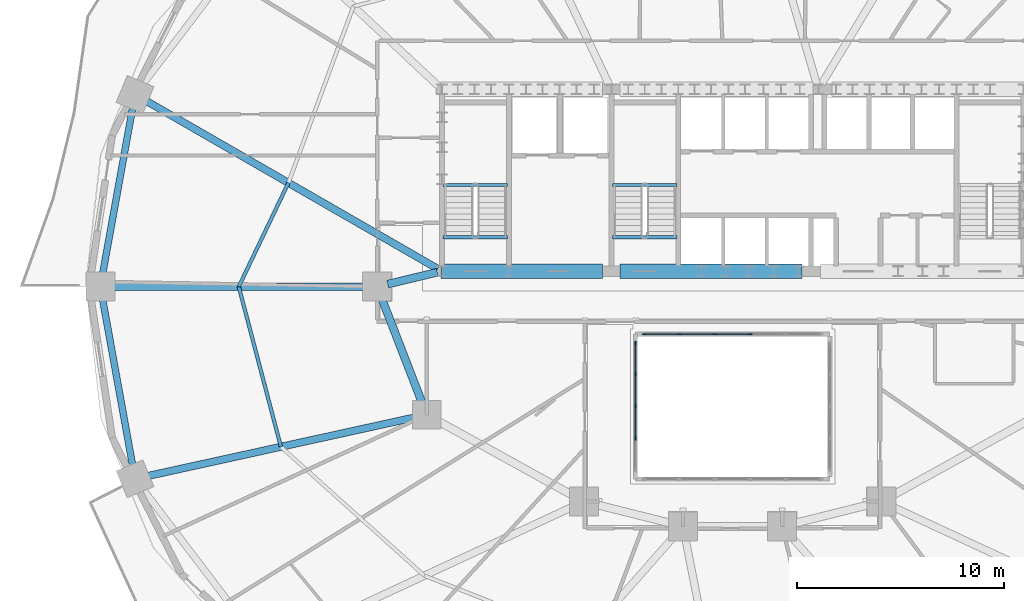
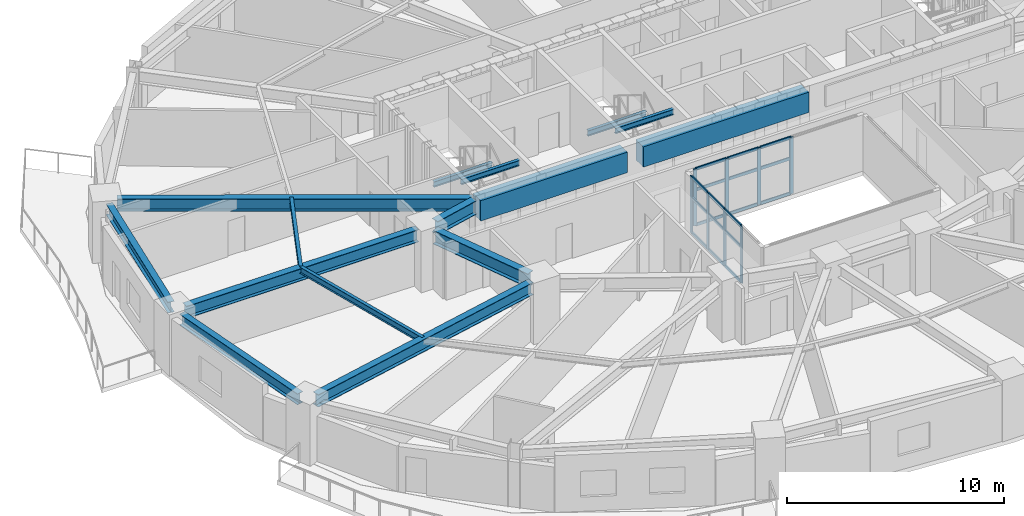
# One storey, part 4 of 16: 26 members, 15 beams, 2 elements without a shape of their own.
"""IFC4 building model written with IfcOpenShell, lengths in metres."""

from ifc_helpers import new_model, si_unit, direction, frame, origin, origin_2d, place, context, subcontext, project, spatial, rectangle, i_section, extrude, material, material_profile, profile_set, type_object, element, aggregate, save


model = new_model("IFC4")

# Units and contexts
model_context = context("Model", 3, precision=1e-05, world=origin(), true_north=direction((0.0, 1.0)))
body_context = subcontext(model_context, "Body", "Model", "MODEL_VIEW")
ifc_project = project(units=[si_unit("LENGTHUNIT", "METRE"), si_unit("AREAUNIT", "SQUARE_METRE"), si_unit("VOLUMEUNIT", "CUBIC_METRE"), si_unit("PLANEANGLEUNIT", "RADIAN"), si_unit("MASSUNIT", "GRAM", prefix="KILO")], contexts=[model_context])

# Site, building, storey
site_placement = place(None, origin())
site = spatial("IfcSite", under=ifc_project, at=site_placement, CompositionType="ELEMENT")
building_placement = place(site_placement, origin())
building = spatial("IfcBuilding", under=site, at=building_placement, Name="Haldorwick Loom Tower", CompositionType="ELEMENT")
storey_placement = place(building_placement, frame((0.0, 0.0, 68.85009765625)))
storey = spatial("IfcBuildingStorey", under=building, at=storey_placement, Name="L18", CompositionType="ELEMENT", Elevation=68.85009765625)

# Curtain wall, members
ifc_material_1 = material(Name="Thermally Broken Anodized Aluminium Curtain Wall Framing", Category="aluminium")
curtain_wall_type = type_object("IfcCurtainWallType", Name="ARC-CW-03", PredefinedType="NOTDEFINED", material=ifc_material_1)
curtain_wall_1_placement = place(storey_placement, origin())
curtain_wall_1 = element("IfcCurtainWall", 1, at=curtain_wall_1_placement, inside=storey, type_object=curtain_wall_type, Name="L18 Atrium Glazed Screen N", PredefinedType="NOTDEFINED")
ifc_material_profile_1 = material_profile(ifc_material_1, rectangle(XDim=0.06591796875, YDim=0.18505859375, at=origin_2d()), Name="ALU_MUL_66X185", Category="aluminium")
ifc_profile_set_1 = profile_set([ifc_material_profile_1], Name="Thermally Broken Anodized Aluminium Curtain Wall Framing")
member_type_1 = type_object("IfcMemberType", Name="ARC-CWM-03", PredefinedType="MULLION", material=ifc_profile_set_1)
member_1_placement = place(storey_placement, frame((31.73291015625, 23.699951171875, 0.0), z_axis=(0.0, 0.0, 1.0), x_axis=(0.0, 1.0, 0.0)))
member_1 = element("IfcMember", 2, at=member_1_placement, type_object=member_type_1, Name="CW-03 mullion 1", PredefinedType="MULLION", context=body_context, shape_type="SweptSolid", body=[
    extrude(rectangle(XDim=0.06591796875, YDim=0.18505859375, at=origin_2d()), origin(), (0.0, 0.0, 1.0), 3.18994140625),
])
member_2_placement = place(storey_placement, frame((33.419921875, 23.699951171875, 0.0), z_axis=(0.0, 0.0, 1.0), x_axis=(0.0, 1.0, 0.0)))
member_2 = element("IfcMember", 3, at=member_2_placement, type_object=member_type_1, Name="CW-03 mullion 2", PredefinedType="MULLION", context=body_context, shape_type="SweptSolid", body=[
    extrude(rectangle(XDim=0.06591796875, YDim=0.18505859375, at=origin_2d()), origin(), (0.0, 0.0, 1.0), 3.18994140625),
])
member_3_placement = place(storey_placement, frame((35.139892578125, 23.699951171875, 0.0), z_axis=(0.0, 0.0, 1.0), x_axis=(0.0, 1.0, 0.0)))
member_3 = element("IfcMember", 4, at=member_3_placement, type_object=member_type_1, Name="CW-03 mullion 3", PredefinedType="MULLION", context=body_context, shape_type="SweptSolid", body=[
    extrude(rectangle(XDim=0.06591796875, YDim=0.18505859375, at=origin_2d()), origin(), (0.0, 0.0, 1.0), 3.18994140625),
])
member_4_placement = place(storey_placement, frame((36.860107421875, 23.699951171875, 0.0), z_axis=(0.0, 0.0, 1.0), x_axis=(0.0, 1.0, 0.0)))
member_4 = element("IfcMember", 5, at=member_4_placement, type_object=member_type_1, Name="CW-03 mullion 4", PredefinedType="MULLION", context=body_context, shape_type="SweptSolid", body=[
    extrude(rectangle(XDim=0.06591796875, YDim=0.18505859375, at=origin_2d()), origin(), (0.0, 0.0, 1.0), 3.18994140625),
])

curtain_wall_2_placement = place(storey_placement, origin())
curtain_wall_2 = element("IfcCurtainWall", 6, at=curtain_wall_2_placement, inside=storey, type_object=curtain_wall_type, Name="L18 Atrium Glazed Screen W", PredefinedType="NOTDEFINED")
member_5_placement = place(storey_placement, frame((31.300048828125, 18.64990234375, 0.0), z_axis=(0.0, 0.0, 1.0), x_axis=(-1.0, 0.0, 0.0)))
member_5 = element("IfcMember", 7, at=member_5_placement, type_object=member_type_1, Name="CW-03 mullion 2", PredefinedType="MULLION", context=body_context, shape_type="SweptSolid", body=[
    extrude(rectangle(XDim=0.06591796875, YDim=0.18505859375, at=origin_2d()), origin(), (0.0, 0.0, 1.0), 3.18994140625),
])
member_6_placement = place(storey_placement, frame((31.300048828125, 20.199951171875, 0.0), z_axis=(0.0, 0.0, 1.0), x_axis=(-1.0, 0.0, 0.0)))
member_6 = element("IfcMember", 8, at=member_6_placement, type_object=member_type_1, Name="CW-03 mullion 3", PredefinedType="MULLION", context=body_context, shape_type="SweptSolid", body=[
    extrude(rectangle(XDim=0.06591796875, YDim=0.18505859375, at=origin_2d()), origin(), (0.0, 0.0, 1.0), 3.18994140625),
])
member_7_placement = place(storey_placement, frame((31.300048828125, 21.75, 0.0), z_axis=(0.0, 0.0, 1.0), x_axis=(-1.0, 0.0, 0.0)))
member_7 = element("IfcMember", 9, at=member_7_placement, type_object=member_type_1, Name="CW-03 mullion 4", PredefinedType="MULLION", context=body_context, shape_type="SweptSolid", body=[
    extrude(rectangle(XDim=0.06591796875, YDim=0.18505859375, at=origin_2d()), origin(), (0.0, 0.0, 1.0), 3.18994140625),
])
member_8_placement = place(storey_placement, frame((31.300048828125, 23.26708984375, 0.0), z_axis=(0.0, 0.0, 1.0), x_axis=(-1.0, 0.0, 0.0)))
member_8 = element("IfcMember", 10, at=member_8_placement, type_object=member_type_1, Name="CW-03 mullion 5", PredefinedType="MULLION", context=body_context, shape_type="SweptSolid", body=[
    extrude(rectangle(XDim=0.06591796875, YDim=0.18505859375, at=origin_2d()), origin(), (0.0, 0.0, 1.0), 3.18994140625),
])

# Member
ifc_material_profile_2 = material_profile(ifc_material_1, rectangle(XDim=0.06591796875, YDim=0.1650390625, at=origin_2d()), Name="ALU_TRN_66X165", Category="aluminium")
ifc_profile_set_2 = profile_set([ifc_material_profile_2], Name="Thermally Broken Anodized Aluminium Curtain Wall Framing")
member_type_2 = type_object("IfcMemberType", Name="ARC-CWT-03", PredefinedType="USERDEFINED", material=ifc_profile_set_2)
member_9_placement = place(storey_placement, frame((31.76611328125, 23.699951171875, 0.032958984375), z_axis=(1.0, 0.0, 0.0), x_axis=(0.0, 1.0, 0.0)))
member_9 = element("IfcMember", 11, at=member_9_placement, type_object=member_type_2, Name="CW-03 transom 1.1", ObjectType="TRANSOM", PredefinedType="USERDEFINED", context=body_context, shape_type="SweptSolid", body=[
    extrude(rectangle(XDim=0.06591796875, YDim=0.1650390625, at=origin_2d()), origin(), (0.0, 0.0, 1.0), 1.620849609375),
])

member_10_placement = place(storey_placement, frame((31.76611328125, 23.699951171875, 2.0), z_axis=(1.0, 0.0, 0.0), x_axis=(0.0, 1.0, 0.0)))
member_10 = element("IfcMember", 12, at=member_10_placement, type_object=member_type_2, Name="CW-03 transom 1.2", ObjectType="TRANSOM", PredefinedType="USERDEFINED", context=body_context, shape_type="SweptSolid", body=[
    extrude(rectangle(XDim=0.06591796875, YDim=0.1650390625, at=origin_2d()), origin(), (0.0, 0.0, 1.0), 1.620849609375),
])

member_11_placement = place(storey_placement, frame((31.76611328125, 23.699951171875, 3.156982421875), z_axis=(1.0, 0.0, 0.0), x_axis=(0.0, 1.0, 0.0)))
member_11 = element("IfcMember", 13, at=member_11_placement, type_object=member_type_2, Name="CW-03 transom 1.3", ObjectType="TRANSOM", PredefinedType="USERDEFINED", context=body_context, shape_type="SweptSolid", body=[
    extrude(rectangle(XDim=0.06591796875, YDim=0.1650390625, at=origin_2d()), origin(), (0.0, 0.0, 1.0), 1.620849609375),
])

member_12_placement = place(storey_placement, frame((33.452880859375, 23.699951171875, 0.032958984375), z_axis=(1.0, 0.0, 0.0), x_axis=(0.0, 1.0, 0.0)))
member_12 = element("IfcMember", 14, at=member_12_placement, type_object=member_type_2, Name="CW-03 transom 2.1", ObjectType="TRANSOM", PredefinedType="USERDEFINED", context=body_context, shape_type="SweptSolid", body=[
    extrude(rectangle(XDim=0.06591796875, YDim=0.1650390625, at=origin_2d()), origin(), (0.0, 0.0, 1.0), 1.654052734375),
])

member_13_placement = place(storey_placement, frame((33.452880859375, 23.699951171875, 2.0), z_axis=(1.0, 0.0, 0.0), x_axis=(0.0, 1.0, 0.0)))
member_13 = element("IfcMember", 15, at=member_13_placement, type_object=member_type_2, Name="CW-03 transom 2.2", ObjectType="TRANSOM", PredefinedType="USERDEFINED", context=body_context, shape_type="SweptSolid", body=[
    extrude(rectangle(XDim=0.06591796875, YDim=0.1650390625, at=origin_2d()), origin(), (0.0, 0.0, 1.0), 1.654052734375),
])

member_14_placement = place(storey_placement, frame((33.452880859375, 23.699951171875, 3.156982421875), z_axis=(1.0, 0.0, 0.0), x_axis=(0.0, 1.0, 0.0)))
member_14 = element("IfcMember", 16, at=member_14_placement, type_object=member_type_2, Name="CW-03 transom 2.3", ObjectType="TRANSOM", PredefinedType="USERDEFINED", context=body_context, shape_type="SweptSolid", body=[
    extrude(rectangle(XDim=0.06591796875, YDim=0.1650390625, at=origin_2d()), origin(), (0.0, 0.0, 1.0), 1.654052734375),
])

member_15_placement = place(storey_placement, frame((35.173095703125, 23.699951171875, 0.032958984375), z_axis=(1.0, 0.0, 0.0), x_axis=(0.0, 1.0, 0.0)))
member_15 = element("IfcMember", 17, at=member_15_placement, type_object=member_type_2, Name="CW-03 transom 3.1", ObjectType="TRANSOM", PredefinedType="USERDEFINED", context=body_context, shape_type="SweptSolid", body=[
    extrude(rectangle(XDim=0.06591796875, YDim=0.1650390625, at=origin_2d()), origin(), (0.0, 0.0, 1.0), 1.65380859375),
])

member_16_placement = place(storey_placement, frame((35.173095703125, 23.699951171875, 2.0), z_axis=(1.0, 0.0, 0.0), x_axis=(0.0, 1.0, 0.0)))
member_16 = element("IfcMember", 18, at=member_16_placement, type_object=member_type_2, Name="CW-03 transom 3.2", ObjectType="TRANSOM", PredefinedType="USERDEFINED", context=body_context, shape_type="SweptSolid", body=[
    extrude(rectangle(XDim=0.06591796875, YDim=0.1650390625, at=origin_2d()), origin(), (0.0, 0.0, 1.0), 1.65380859375),
])

member_17_placement = place(storey_placement, frame((35.173095703125, 23.699951171875, 3.156982421875), z_axis=(1.0, 0.0, 0.0), x_axis=(0.0, 1.0, 0.0)))
member_17 = element("IfcMember", 19, at=member_17_placement, type_object=member_type_2, Name="CW-03 transom 3.3", ObjectType="TRANSOM", PredefinedType="USERDEFINED", context=body_context, shape_type="SweptSolid", body=[
    extrude(rectangle(XDim=0.06591796875, YDim=0.1650390625, at=origin_2d()), origin(), (0.0, 0.0, 1.0), 1.65380859375),
])

aggregate(curtain_wall_1, [member_1, member_2, member_3, member_4, member_9, member_10, member_11, member_12, member_13, member_14, member_15, member_16, member_17])

member_18_placement = place(storey_placement, frame((31.300048828125, 18.68310546875, 0.032958984375), z_axis=(0.0, 1.0, 0.0), x_axis=(-1.0, 0.0, 0.0)))
member_18 = element("IfcMember", 20, at=member_18_placement, type_object=member_type_2, Name="CW-03 transom 2.1", ObjectType="TRANSOM", PredefinedType="USERDEFINED", context=body_context, shape_type="SweptSolid", body=[
    extrude(rectangle(XDim=0.06591796875, YDim=0.1650390625, at=origin_2d()), origin(), (0.0, 0.0, 1.0), 1.48388671875),
])

member_19_placement = place(storey_placement, frame((31.300048828125, 18.68310546875, 2.0), z_axis=(0.0, 1.0, 0.0), x_axis=(-1.0, 0.0, 0.0)))
member_19 = element("IfcMember", 21, at=member_19_placement, type_object=member_type_2, Name="CW-03 transom 2.2", ObjectType="TRANSOM", PredefinedType="USERDEFINED", context=body_context, shape_type="SweptSolid", body=[
    extrude(rectangle(XDim=0.06591796875, YDim=0.1650390625, at=origin_2d()), origin(), (0.0, 0.0, 1.0), 1.48388671875),
])

member_20_placement = place(storey_placement, frame((31.300048828125, 18.68310546875, 3.156982421875), z_axis=(0.0, 1.0, 0.0), x_axis=(-1.0, 0.0, 0.0)))
member_20 = element("IfcMember", 22, at=member_20_placement, type_object=member_type_2, Name="CW-03 transom 2.3", ObjectType="TRANSOM", PredefinedType="USERDEFINED", context=body_context, shape_type="SweptSolid", body=[
    extrude(rectangle(XDim=0.06591796875, YDim=0.1650390625, at=origin_2d()), origin(), (0.0, 0.0, 1.0), 1.48388671875),
])

member_21_placement = place(storey_placement, frame((31.300048828125, 20.23291015625, 0.032958984375), z_axis=(0.0, 1.0, 0.0), x_axis=(-1.0, 0.0, 0.0)))
member_21 = element("IfcMember", 23, at=member_21_placement, type_object=member_type_2, Name="CW-03 transom 3.1", ObjectType="TRANSOM", PredefinedType="USERDEFINED", context=body_context, shape_type="SweptSolid", body=[
    extrude(rectangle(XDim=0.06591796875, YDim=0.1650390625, at=origin_2d()), origin(), (0.0, 0.0, 1.0), 1.484130859375),
])

member_22_placement = place(storey_placement, frame((31.300048828125, 20.23291015625, 2.0), z_axis=(0.0, 1.0, 0.0), x_axis=(-1.0, 0.0, 0.0)))
member_22 = element("IfcMember", 24, at=member_22_placement, type_object=member_type_2, Name="CW-03 transom 3.2", ObjectType="TRANSOM", PredefinedType="USERDEFINED", context=body_context, shape_type="SweptSolid", body=[
    extrude(rectangle(XDim=0.06591796875, YDim=0.1650390625, at=origin_2d()), origin(), (0.0, 0.0, 1.0), 1.484130859375),
])

member_23_placement = place(storey_placement, frame((31.300048828125, 20.23291015625, 3.156982421875), z_axis=(0.0, 1.0, 0.0), x_axis=(-1.0, 0.0, 0.0)))
member_23 = element("IfcMember", 25, at=member_23_placement, type_object=member_type_2, Name="CW-03 transom 3.3", ObjectType="TRANSOM", PredefinedType="USERDEFINED", context=body_context, shape_type="SweptSolid", body=[
    extrude(rectangle(XDim=0.06591796875, YDim=0.1650390625, at=origin_2d()), origin(), (0.0, 0.0, 1.0), 1.484130859375),
])

member_24_placement = place(storey_placement, frame((31.300048828125, 21.782958984375, 0.032958984375), z_axis=(0.0, 1.0, 0.0), x_axis=(-1.0, 0.0, 0.0)))
member_24 = element("IfcMember", 26, at=member_24_placement, type_object=member_type_2, Name="CW-03 transom 4.1", ObjectType="TRANSOM", PredefinedType="USERDEFINED", context=body_context, shape_type="SweptSolid", body=[
    extrude(rectangle(XDim=0.06591796875, YDim=0.1650390625, at=origin_2d()), origin(), (0.0, 0.0, 1.0), 1.450927734375),
])

member_25_placement = place(storey_placement, frame((31.300048828125, 21.782958984375, 2.0), z_axis=(0.0, 1.0, 0.0), x_axis=(-1.0, 0.0, 0.0)))
member_25 = element("IfcMember", 27, at=member_25_placement, type_object=member_type_2, Name="CW-03 transom 4.2", ObjectType="TRANSOM", PredefinedType="USERDEFINED", context=body_context, shape_type="SweptSolid", body=[
    extrude(rectangle(XDim=0.06591796875, YDim=0.1650390625, at=origin_2d()), origin(), (0.0, 0.0, 1.0), 1.450927734375),
])

member_26_placement = place(storey_placement, frame((31.300048828125, 21.782958984375, 3.156982421875), z_axis=(0.0, 1.0, 0.0), x_axis=(-1.0, 0.0, 0.0)))
member_26 = element("IfcMember", 28, at=member_26_placement, type_object=member_type_2, Name="CW-03 transom 4.3", ObjectType="TRANSOM", PredefinedType="USERDEFINED", context=body_context, shape_type="SweptSolid", body=[
    extrude(rectangle(XDim=0.06591796875, YDim=0.1650390625, at=origin_2d()), origin(), (0.0, 0.0, 1.0), 1.450927734375),
])

aggregate(curtain_wall_2, [member_5, member_6, member_7, member_8, member_18, member_19, member_20, member_21, member_22, member_23, member_24, member_25, member_26])

# Beams
ifc_material_2 = material(Name="Concrete C60 (60 MPa)", Category="concrete")
ifc_material_profile_3 = material_profile(ifc_material_2, rectangle(XDim=0.699951171875, YDim=1.14990234375, at=origin_2d()), Name="RC700X1150", Category="concrete")
ifc_profile_set_3 = profile_set([ifc_material_profile_3], Name="Concrete C60 (60 MPa)")
beam_type_1 = type_object("IfcBeamType", Name="STR-BM-CB1150", PredefinedType="LINTEL", material=ifc_profile_set_3)
beam_1_placement = place(storey_placement, frame((21.89990234375, 26.75, 2.614990234375), z_axis=(1.0, 0.0, 0.0), x_axis=(0.0, 1.0, 0.0)))
element("IfcBeam", 29, at=beam_1_placement, inside=storey, type_object=beam_type_1, Name="L18 Core Coupling Beam CB-S1", PredefinedType="LINTEL", context=body_context, shape_type="SweptSolid", body=[
    extrude(rectangle(XDim=0.699951171875, YDim=1.14990234375, at=origin_2d()), origin(), (0.0, 0.0, 1.0), 7.800048828125),
])
beam_2_placement = place(storey_placement, frame((30.550048828125, 26.75, 2.614990234375), z_axis=(1.0, 0.0, 0.0), x_axis=(0.0, 1.0, 0.0)))
element("IfcBeam", 30, at=beam_2_placement, inside=storey, type_object=beam_type_1, Name="L18 Core Coupling Beam CB-S2", PredefinedType="LINTEL", context=body_context, shape_type="SweptSolid", body=[
    extrude(rectangle(XDim=0.699951171875, YDim=1.14990234375, at=origin_2d()), origin(), (0.0, 0.0, 1.0), 8.800048828125),
])
ifc_material_3 = material(Name="Steel CSA G40.21 350W", Category="steel")
ifc_material_profile_4 = material_profile(ifc_material_3, i_section(OverallWidth=0.172119140625, OverallDepth=0.35791015625, WebThickness=0.0078125, FlangeThickness=0.01318359375, at=origin_2d()), Name="W360X57", Category="steel")
ifc_profile_set_4 = profile_set([ifc_material_profile_4], Name="Steel CSA G40.21 350W")
beam_type_2 = type_object("IfcBeamType", Name="STR-BM-J360", PredefinedType="JOIST", material=ifc_profile_set_4)
beam_3_placement = place(storey_placement, frame((14.50634765625, 31.024658203125, 3.010986328125), z_axis=(-0.431630738849, -0.902050389546, 0.0), x_axis=(0.902050389546, -0.431630738849, 0.0)))
element("IfcBeam", 31, at=beam_3_placement, inside=storey, type_object=beam_type_2, Name="L18 Mid-Bay Secondary Joist 8", PredefinedType="JOIST", context=body_context, shape_type="SweptSolid", body=[
    extrude(i_section(OverallWidth=0.172119140625, OverallDepth=0.35791015625, WebThickness=0.0078125, FlangeThickness=0.01318359375, at=origin_2d()), origin(), (0.0, 0.0, 1.0), 5.5703125),
])
beam_4_placement = place(storey_placement, frame((12.10205078125, 26.0, 3.010986328125), z_axis=(0.2544888003, -0.967075721193, 0.0), x_axis=(0.967075721193, 0.2544888003, 0.0)))
element("IfcBeam", 32, at=beam_4_placement, inside=storey, type_object=beam_type_2, Name="L18 Mid-Bay Secondary Joist 9", PredefinedType="JOIST", context=body_context, shape_type="SweptSolid", body=[
    extrude(i_section(OverallWidth=0.172119140625, OverallDepth=0.35791015625, WebThickness=0.0078125, FlangeThickness=0.01318359375, at=origin_2d()), origin(), (0.0, 0.0, 1.0), 8.013427734375),
])
ifc_material_profile_5 = material_profile(ifc_material_3, i_section(OverallWidth=0.324951171875, OverallDepth=0.615966796875, WebThickness=0.013916015625, FlangeThickness=0.021484375, at=origin_2d()), Name="W610X174", Category="steel")
ifc_profile_set_5 = profile_set([ifc_material_profile_5], Name="Steel CSA G40.21 350W")
beam_type_3 = type_object("IfcBeamType", Name="STR-BM-SP610", PredefinedType="SPANDREL", material=ifc_profile_set_5)
for number, where, z_axis, x_axis, name in (
    (33, (6.990234375, 34.78759765625, 2.8818359375), (-0.177641139482, -0.984095333575, 0.0), (0.984095333575, -0.177641139482, 0.0), "L18 Perimeter Spandrel 8"),
    (34, (5.496337890625, 25.48828125, 2.8818359375), (0.177641139482, -0.984095333575, 0.0), (0.984095333575, 0.177641139482, 0.0), "L18 Perimeter Spandrel 9"),
):
    element("IfcBeam", number, at=place(storey_placement, frame(where, z_axis=z_axis, x_axis=x_axis)), inside=storey, type_object=beam_type_3, Name=name, PredefinedType="SPANDREL", context=body_context, shape_type="SweptSolid", body=[
        extrude(i_section(OverallWidth=0.324951171875, OverallDepth=0.615966796875, WebThickness=0.013916015625, FlangeThickness=0.021484375, at=origin_2d()), origin(), (0.0, 0.0, 1.0), 8.40966796875),
    ])
ifc_material_profile_6 = material_profile(ifc_material_3, i_section(OverallWidth=0.166015625, OverallDepth=0.31298828125, WebThickness=0.006591796875, FlangeThickness=0.01123046875, at=origin_2d()), Name="W310X45", Category="steel")
ifc_profile_set_6 = profile_set([ifc_material_profile_6], Name="Steel CSA G40.21 350W")
beam_type_4 = type_object("IfcBeamType", Name="STR-BM-STRM", PredefinedType="BEAM", material=ifc_profile_set_6)
for number, where, z_axis, x_axis, name in (
    (35, (21.989990234375, 28.39990234375, 3.033447265625), (1.0, 0.0, 0.0), (0.0, 1.0, 0.0), "L18 Stair ST-01 Landing Edge Trimmer"),
    (36, (21.989990234375, 30.919921875, 1.368408203125), (1.0, 0.0, 0.0), (0.0, 1.0, 0.0), "L18 Stair ST-01 Half-Landing Trimmer 1"),
    (37, (30.18994140625, 28.39990234375, 3.033447265625), (1.0, 0.0, 0.0), (0.0, 1.0, 0.0), "L18 Stair ST-03 Landing Edge Trimmer"),
    (38, (30.18994140625, 30.919921875, 1.368408203125), (1.0, 0.0, 0.0), (0.0, 1.0, 0.0), "L18 Stair ST-03 Half-Landing Trimmer 1"),
):
    element("IfcBeam", number, at=place(storey_placement, frame(where, z_axis=z_axis, x_axis=x_axis)), inside=storey, type_object=beam_type_4, Name=name, PredefinedType="BEAM", context=body_context, shape_type="SweptSolid", body=[
        extrude(i_section(OverallWidth=0.166015625, OverallDepth=0.31298828125, WebThickness=0.006591796875, FlangeThickness=0.01123046875, at=origin_2d()), origin(), (0.0, 0.0, 1.0), 3.1201171875),
    ])
ifc_material_profile_7 = material_profile(ifc_material_3, i_section(OverallWidth=0.35498046875, OverallDepth=0.695068359375, WebThickness=0.015380859375, FlangeThickness=0.02490234375, at=origin_2d()), Name="W690X217", Category="steel")
ifc_profile_set_7 = profile_set([ifc_material_profile_7], Name="Steel CSA G40.21 350W")
beam_type_5 = type_object("IfcBeamType", Name="STR-BM-W690", PredefinedType="BEAM", material=ifc_profile_set_7)
beam_5_placement = place(storey_placement, frame((21.735107421875, 26.8623046875, 2.84228515625), z_axis=(-0.86660566838, 0.498993602696, 0.0), x_axis=(-0.498993602696, -0.86660566838, 0.0)))
element("IfcBeam", 39, at=beam_5_placement, inside=storey, type_object=beam_type_5, Name="L18 Radial Floor Girder 8", PredefinedType="BEAM", context=body_context, shape_type="SweptSolid", body=[
    extrude(i_section(OverallWidth=0.35498046875, OverallDepth=0.695068359375, WebThickness=0.015380859375, FlangeThickness=0.02490234375, at=origin_2d()), origin(), (0.0, 0.0, 1.0), 16.387939453125),
])
beam_6_placement = place(storey_placement, frame((18.280029296875, 26.0, 2.84228515625), z_axis=(-1.0, 0.0, 0.0), x_axis=(0.0, -1.0, 0.0)))
element("IfcBeam", 40, at=beam_6_placement, inside=storey, type_object=beam_type_5, Name="L18 Radial Floor Girder 9", PredefinedType="BEAM", context=body_context, shape_type="SweptSolid", body=[
    extrude(i_section(OverallWidth=0.35498046875, OverallDepth=0.695068359375, WebThickness=0.015380859375, FlangeThickness=0.02490234375, at=origin_2d()), origin(), (0.0, 0.0, 1.0), 12.35595703125),
])
beam_7_placement = place(storey_placement, frame((20.692138671875, 19.6884765625, 2.84228515625), z_axis=(-0.976740159434, -0.214426353203, 0.0), x_axis=(0.214426353203, -0.976740159434, 0.0)))
element("IfcBeam", 41, at=beam_7_placement, inside=storey, type_object=beam_type_5, Name="L18 Radial Floor Girder 10", PredefinedType="BEAM", context=body_context, shape_type="SweptSolid", body=[
    extrude(i_section(OverallWidth=0.35498046875, OverallDepth=0.695068359375, WebThickness=0.015380859375, FlangeThickness=0.02490234375, at=origin_2d()), origin(), (0.0, 0.0, 1.0), 13.41357421875),
])
ifc_material_profile_8 = material_profile(ifc_material_3, i_section(OverallWidth=0.381103515625, OverallDepth=0.77294921875, WebThickness=0.0166015625, FlangeThickness=0.027587890625, at=origin_2d()), Name="W760X257", Category="steel")
ifc_profile_set_8 = profile_set([ifc_material_profile_8], Name="Steel CSA G40.21 350W")
beam_type_6 = type_object("IfcBeamType", Name="STR-BM-W760", PredefinedType="BEAM", material=ifc_profile_set_8)
beam_8_placement = place(storey_placement, frame((21.01220703125, 20.284912109375, 2.803466796875), z_axis=(-0.360964792353, 0.93257944363, 0.0), x_axis=(-0.93257944363, -0.360964792353, 0.0)))
element("IfcBeam", 42, at=beam_8_placement, inside=storey, type_object=beam_type_6, Name="L18 Inner Ring Girder 8", PredefinedType="BEAM", context=body_context, shape_type="SweptSolid", body=[
    extrude(i_section(OverallWidth=0.381103515625, OverallDepth=0.77294921875, WebThickness=0.0166015625, FlangeThickness=0.027587890625, at=origin_2d()), origin(), (0.0, 0.0, 1.0), 5.6083984375),
])
beam_9_placement = place(storey_placement, frame((19.3056640625, 26.12109375, 2.803466796875), z_axis=(0.97247055837, 0.233025777764, 0.0), x_axis=(-0.233025777764, 0.97247055837, 0.0)))
element("IfcBeam", 43, at=beam_9_placement, inside=storey, type_object=beam_type_6, Name="L18 Inner Ring Girder 9", PredefinedType="BEAM", context=body_context, shape_type="SweptSolid", body=[
    extrude(i_section(OverallWidth=0.381103515625, OverallDepth=0.77294921875, WebThickness=0.0166015625, FlangeThickness=0.027587890625, at=origin_2d()), origin(), (0.0, 0.0, 1.0), 2.4736328125),
])

save(model, "model.ifc")
